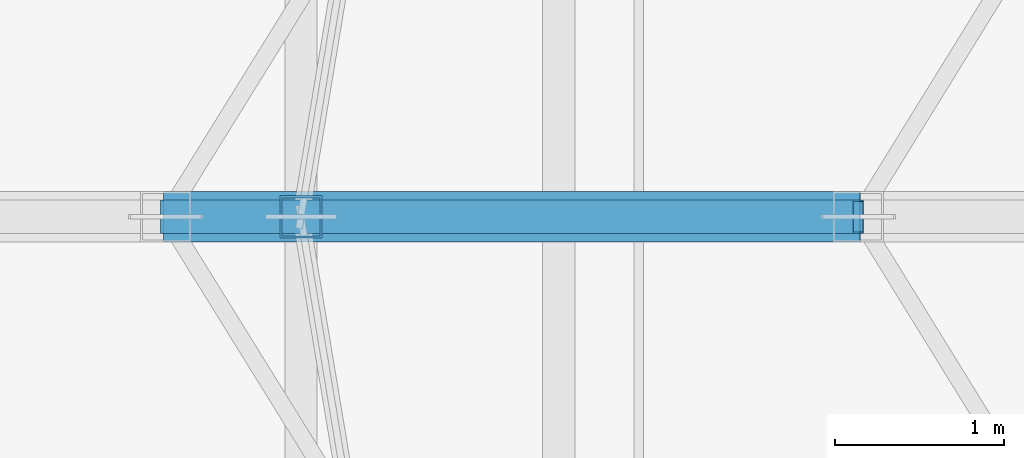
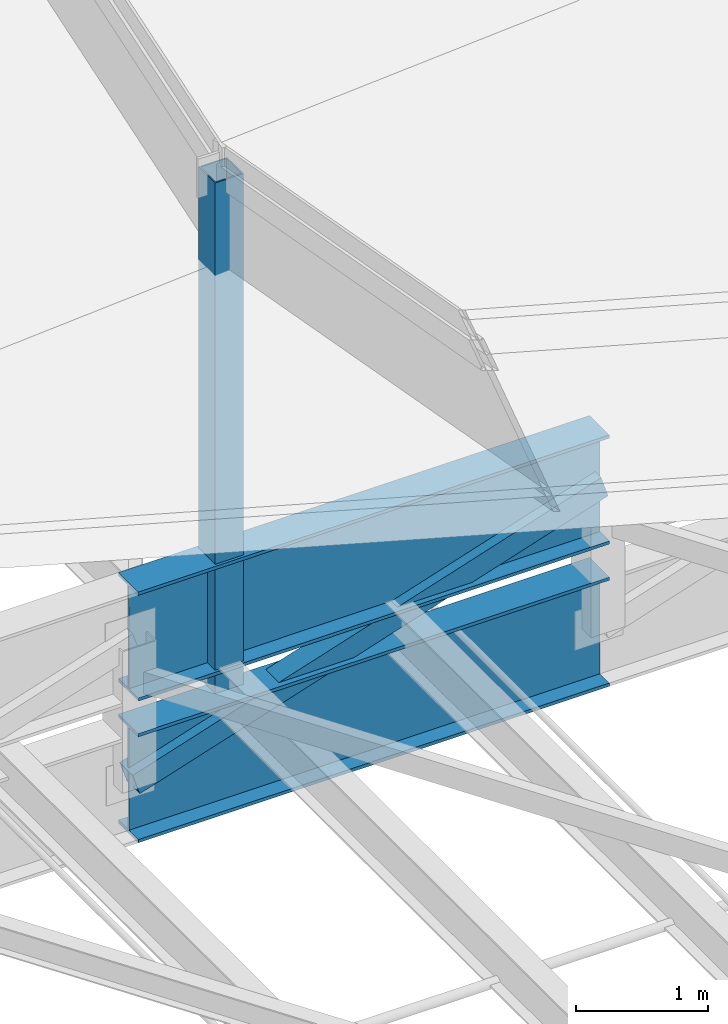
# One storey, part 17 of 184: 2 beams, 2 members.
"""IFC4 building model written with IfcOpenShell, lengths in metres."""

from ifc_helpers import new_model, si_unit, direction, frame, origin, origin_2d, place, context, subcontext, project, spatial, hollow_rectangle, i_section, extrude, material, material_profile, profile_set, type_object, element, save


model = new_model("IFC4")

# Units and contexts
model_context = context("Model", 3, precision=1e-05, world=origin(), true_north=direction((0.0, 1.0)))
body_context = subcontext(model_context, "Body", "Model", "MODEL_VIEW")
ifc_project = project(units=[si_unit("LENGTHUNIT", "METRE"), si_unit("AREAUNIT", "SQUARE_METRE"), si_unit("VOLUMEUNIT", "CUBIC_METRE"), si_unit("PLANEANGLEUNIT", "RADIAN"), si_unit("MASSUNIT", "GRAM", prefix="KILO")], contexts=[model_context])

# Site, building, storey
site_placement = place(None, origin())
site = spatial("IfcSite", under=ifc_project, at=site_placement, CompositionType="ELEMENT")
building_placement = place(site_placement, origin())
building = spatial("IfcBuilding", under=site, at=building_placement, Name="Kalgoora Escarpment Arena", CompositionType="ELEMENT")
storey_placement = place(building_placement, frame((0.0, 0.0, 27.60009765625)))
storey = spatial("IfcBuildingStorey", under=building, at=storey_placement, Name="Roof Level", CompositionType="ELEMENT", Elevation=27.60009765625)

# Beams
ifc_material_1 = material(Name="Structural steel Grade 350 (350 MPa)", Category="steel")
ifc_material_profile_1 = material_profile(ifc_material_1, i_section(OverallWidth=0.300048828125, OverallDepth=1.010009765625, WebThickness=0.01611328125, FlangeThickness=0.030029296875, at=origin_2d()))
ifc_profile_set_1 = profile_set([ifc_material_profile_1], Name="Structural steel Grade 350 (350 MPa)")
beam_type = type_object("IfcBeamType", Name="BM-TRUSS-CHORD", PredefinedType="USERDEFINED", material=ifc_profile_set_1)
for number, where, z_axis, x_axis, name in (
    (1, (55.988037109375, 64.0, -1.64013671875), (0.999999227238, 0.0, 0.001243191083), (0.0, 1.0, 0.0), "Radial ROOF TRUSS spine 5 bottom chord 4"),
    (2, (55.988037109375, 64.0, -0.330078125), (0.999997054401, 0.0, 0.002427177317), (0.0, 1.0, 0.0), "Radial ROOF TRUSS spine 5 top chord 4"),
):
    element("IfcBeam", number, at=place(storey_placement, frame(where, z_axis=z_axis, x_axis=x_axis)), inside=storey, type_object=beam_type, Name=name, ObjectType="GIRDER", PredefinedType="USERDEFINED", context=body_context, shape_type="SweptSolid", body=[
        extrude(i_section(OverallWidth=0.300048828125, OverallDepth=1.010009765625, WebThickness=0.01611328125, FlangeThickness=0.030029296875, at=origin_2d()), origin(), (0.0, 0.0, 1.0), 4.1240234375),
    ])

# Members
ifc_material_2 = material(Name="Structural steel C450 (450 MPa)", Category="steel")
ifc_material_profile_2 = material_profile(ifc_material_2, hollow_rectangle(XDim=0.25, YDim=0.25, WallThickness=0.012451171875, at=origin_2d()))
ifc_profile_set_2 = profile_set([ifc_material_profile_2], Name="Structural steel C450 (450 MPa)")
member_type_1 = type_object("IfcMemberType", Name="MEM-PETAL-POST", PredefinedType="POST", material=ifc_profile_set_2)
member_1_placement = place(storey_placement, frame((56.800048828125, 64.0, -1.02001953125), z_axis=(0.0, 0.0, 1.0), x_axis=(1.0, 0.0, 0.0)))
element("IfcMember", 3, at=member_1_placement, inside=storey, type_object=member_type_1, Name="Petal RP3 vertical support post S13", PredefinedType="POST", context=body_context, shape_type="SweptSolid", body=[
    extrude(hollow_rectangle(XDim=0.25, YDim=0.25, WallThickness=0.012451171875, at=origin_2d()), origin(), (0.0, 0.0, 1.0), 4.724853515625),
])
ifc_material_3 = material(Name="Structural steel C350 (350 MPa)", Category="steel")
ifc_material_profile_3 = material_profile(ifc_material_3, hollow_rectangle(XDim=0.199951171875, YDim=0.199951171875, WallThickness=0.009033203125, at=origin_2d()))
ifc_profile_set_3 = profile_set([ifc_material_profile_3], Name="Structural steel C350 (350 MPa)")
member_type_2 = type_object("IfcMemberType", Name="MEM-TRUSS-DIAG", PredefinedType="BRACE", material=ifc_profile_set_3)
member_2_placement = place(storey_placement, frame((56.0, 64.0, -1.64013671875), z_axis=(0.951881017714, 0.0, 0.306467825579), x_axis=(0.0, 1.0, 0.0)))
element("IfcMember", 4, at=member_2_placement, inside=storey, type_object=member_type_2, Name="Radial ROOF TRUSS spine 5 web diagonal 4", PredefinedType="BRACE", context=body_context, shape_type="SweptSolid", body=[
    extrude(hollow_rectangle(XDim=0.199951171875, YDim=0.199951171875, WallThickness=0.009033203125, at=origin_2d()), origin(), (0.0, 0.0, 1.0), 4.307373046875),
])

save(model, "model.ifc")
